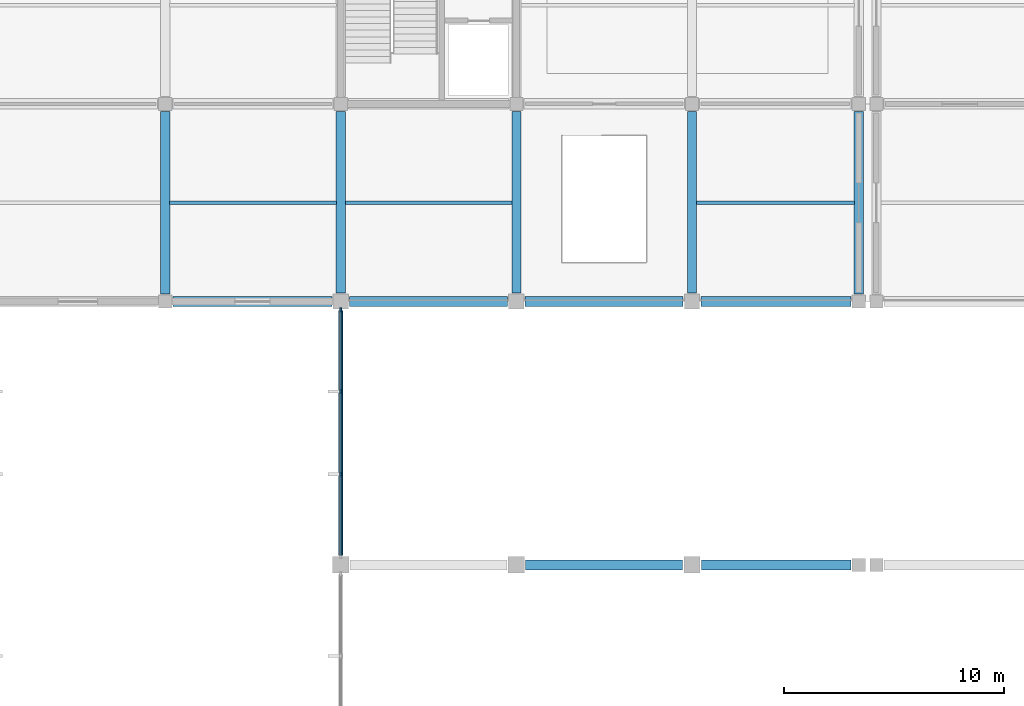
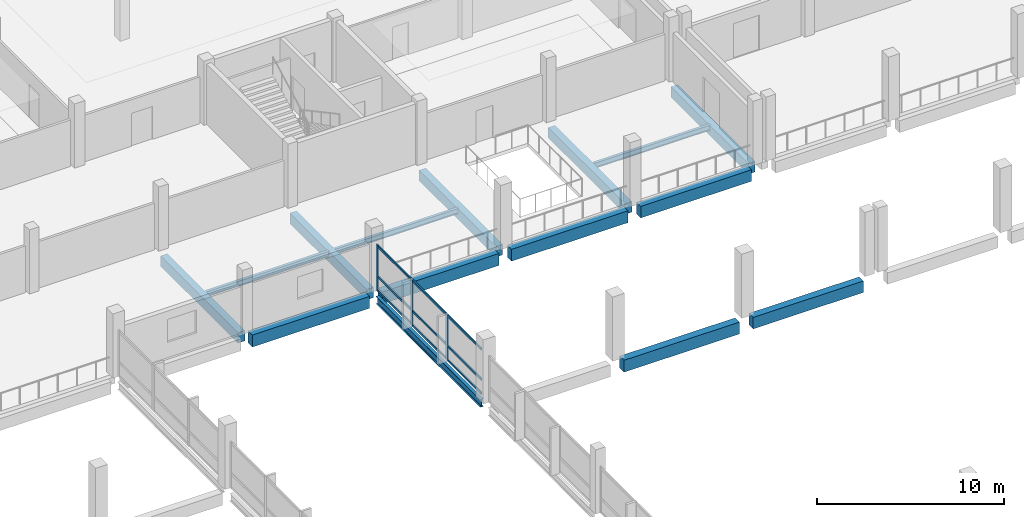
# One storey, part 19 of 57: 15 beams, 12 members, 1 element without a shape of its own.
"""IFC4 building model written with IfcOpenShell, lengths in metres."""

from ifc_helpers import new_model, si_unit, direction, frame, origin, origin_2d, place, context, subcontext, project, spatial, rectangle, i_section, extrude, material, material_profile, profile_set, type_object, element, aggregate, save


model = new_model("IFC4")

# Units and contexts
model_context = context("Model", 3, precision=1e-05, world=origin(), true_north=direction((0.0, 1.0)))
body_context = subcontext(model_context, "Body", "Model", "MODEL_VIEW")
ifc_project = project(units=[si_unit("LENGTHUNIT", "METRE"), si_unit("AREAUNIT", "SQUARE_METRE"), si_unit("VOLUMEUNIT", "CUBIC_METRE"), si_unit("PLANEANGLEUNIT", "RADIAN"), si_unit("MASSUNIT", "GRAM", prefix="KILO"), si_unit("THERMODYNAMICTEMPERATUREUNIT", "KELVIN"), si_unit("POWERUNIT", "WATT")], contexts=[model_context])

# Site, building, storey
site_placement = place(None, origin())
site = spatial("IfcSite", under=ifc_project, at=site_placement, CompositionType="ELEMENT")
building_placement = place(site_placement, origin())
building = spatial("IfcBuilding", under=site, at=building_placement, Name="Kronsvod Quay Wholesale Market", CompositionType="ELEMENT")
storey_placement = place(building_placement, frame((0.0, 0.0, 4.800048828125)))
storey = spatial("IfcBuildingStorey", under=building, at=storey_placement, Name="L01", CompositionType="ELEMENT", Elevation=4.800048828125)

# Beams
ifc_material_1 = material(Name="Precast concrete C40/50", Category="concrete")
ifc_material_profile_1 = material_profile(ifc_material_1, rectangle(XDim=0.419921875, YDim=0.679931640625, at=origin_2d()), Name="PB-05")
ifc_profile_set_1 = profile_set([ifc_material_profile_1], Name="Precast concrete C40/50")
beam_type_1 = type_object("IfcBeamType", Name="Beam_PCB420x680", PredefinedType="BEAM", material=ifc_profile_set_1)
beam_1_placement = place(storey_placement, frame((96.0, 90.35009765625, -0.64013671875), z_axis=(0.0, 1.0, 0.0), x_axis=(-1.0, 0.0, 0.0)))
element("IfcBeam", 1, at=beam_1_placement, inside=storey, type_object=beam_type_1, Name="BMY-L01-960-900", PredefinedType="BEAM", context=body_context, shape_type="SweptSolid", body=[
    extrude(rectangle(XDim=0.419921875, YDim=0.679931640625, at=origin_2d()), origin(), (0.0, 0.0, 1.0), 8.2998046875),
])
for number, where, z_axis, x_axis, name in (
    (2, (104.0, 90.39990234375, -0.64013671875), (0.0, 1.0, 0.0), (-1.0, 0.0, 0.0), "BMY-L01-1040-900"),
    (3, (112.0, 90.39990234375, -0.64013671875), (0.0, 1.0, 0.0), (-1.0, 0.0, 0.0), "BMY-L01-1120-900"),
    (4, (120.0, 90.39990234375, -0.64013671875), (0.0, 1.0, 0.0), (-1.0, 0.0, 0.0), "BMY-L01-1200-900"),
):
    element("IfcBeam", number, at=place(storey_placement, frame(where, z_axis=z_axis, x_axis=x_axis)), inside=storey, type_object=beam_type_1, Name=name, PredefinedType="BEAM", context=body_context, shape_type="SweptSolid", body=[
        extrude(rectangle(XDim=0.419921875, YDim=0.679931640625, at=origin_2d()), origin(), (0.0, 0.0, 1.0), 8.25),
    ])
beam_2_placement = place(storey_placement, frame((127.60009765625, 90.35009765625, -0.64013671875), z_axis=(0.0, 1.0, 0.0), x_axis=(-1.0, 0.0, 0.0)))
element("IfcBeam", 5, at=beam_2_placement, inside=storey, type_object=beam_type_1, Name="BMY-L01-1276-900", PredefinedType="BEAM", context=body_context, shape_type="SweptSolid", body=[
    extrude(rectangle(XDim=0.419921875, YDim=0.679931640625, at=origin_2d()), origin(), (0.0, 0.0, 1.0), 8.2998046875),
])
ifc_material_2 = material(Name="Precast concrete C40/50", Category="concrete")
ifc_material_profile_2 = material_profile(ifc_material_2, rectangle(XDim=0.449951171875, YDim=0.75, at=origin_2d()), Name="PCB450x750")
ifc_profile_set_2 = profile_set([ifc_material_profile_2], Name="Precast concrete C40/50")
beam_type_2 = type_object("IfcBeamType", Name="Beam_PCB450x750", PredefinedType="BEAM", material=ifc_profile_set_2)
beam_3_placement = place(storey_placement, frame((120.425048828125, 78.0, -0.675048828125), z_axis=(1.0, 0.0, 0.0), x_axis=(0.0, 1.0, 0.0)))
element("IfcBeam", 6, at=beam_3_placement, inside=storey, type_object=beam_type_2, Name="BMX-L01-1200-780", PredefinedType="BEAM", context=body_context, shape_type="SweptSolid", body=[
    extrude(rectangle(XDim=0.449951171875, YDim=0.75, at=origin_2d()), origin(), (0.0, 0.0, 1.0), 6.824951171875),
])
beam_4_placement = place(storey_placement, frame((120.39990234375, 90.0, -0.675048828125), z_axis=(1.0, 0.0, 0.0), x_axis=(0.0, 1.0, 0.0)))
element("IfcBeam", 7, at=beam_4_placement, inside=storey, type_object=beam_type_2, Name="BMX-L01-1200-900", PredefinedType="BEAM", context=body_context, shape_type="SweptSolid", body=[
    extrude(rectangle(XDim=0.449951171875, YDim=0.75, at=origin_2d()), origin(), (0.0, 0.0, 1.0), 6.85009765625),
])
ifc_material_3 = material(Name="Precast concrete C40/50", Category="concrete")
ifc_material_profile_3 = material_profile(ifc_material_3, rectangle(XDim=0.4599609375, YDim=0.780029296875, at=origin_2d()), Name="PB-03")
ifc_profile_set_3 = profile_set([ifc_material_profile_3], Name="Precast concrete C40/50")
beam_type_3 = type_object("IfcBeamType", Name="Beam_PCB460x780", PredefinedType="BEAM", material=ifc_profile_set_3)
beam_5_placement = place(storey_placement, frame((112.425048828125, 78.0, -0.68994140625), z_axis=(1.0, 0.0, 0.0), x_axis=(0.0, 1.0, 0.0)))
element("IfcBeam", 8, at=beam_5_placement, inside=storey, type_object=beam_type_3, Name="BMX-L01-1120-780", PredefinedType="BEAM", context=body_context, shape_type="SweptSolid", body=[
    extrude(rectangle(XDim=0.4599609375, YDim=0.780029296875, at=origin_2d()), origin(), (0.0, 0.0, 1.0), 7.14990234375),
])
beam_6_placement = place(storey_placement, frame((96.35009765625, 90.0, -0.68994140625), z_axis=(1.0, 0.0, 0.0), x_axis=(0.0, 1.0, 0.0)))
element("IfcBeam", 9, at=beam_6_placement, inside=storey, type_object=beam_type_3, Name="BMX-L01-960-900", PredefinedType="BEAM", context=body_context, shape_type="SweptSolid", body=[
    extrude(rectangle(XDim=0.4599609375, YDim=0.780029296875, at=origin_2d()), origin(), (0.0, 0.0, 1.0), 7.25),
])
for number, where, z_axis, x_axis, name in (
    (10, (104.39990234375, 90.0, -0.68994140625), (1.0, 0.0, 0.0), (0.0, 1.0, 0.0), "BMX-L01-1040-900"),
    (11, (112.39990234375, 90.0, -0.68994140625), (1.0, 0.0, 0.0), (0.0, 1.0, 0.0), "BMX-L01-1120-900"),
):
    element("IfcBeam", number, at=place(storey_placement, frame(where, z_axis=z_axis, x_axis=x_axis)), inside=storey, type_object=beam_type_3, Name=name, PredefinedType="BEAM", context=body_context, shape_type="SweptSolid", body=[
        extrude(rectangle(XDim=0.4599609375, YDim=0.780029296875, at=origin_2d()), origin(), (0.0, 0.0, 1.0), 7.2001953125),
    ])
ifc_material_4 = material(Name="Steel S355", Category="steel")
ifc_material_profile_4 = material_profile(ifc_material_4, i_section(OverallWidth=0.198974609375, OverallDepth=0.49609375, WebThickness=0.009033203125, FlangeThickness=0.013916015625, FilletRadius=0.02001953125, at=origin_2d()), Name="50B1")
ifc_profile_set_4 = profile_set([ifc_material_profile_4], Name="Steel S355")
beam_type_4 = type_object("IfcBeamType", Name="Girder_Steel50B1", PredefinedType="T_BEAM", material=ifc_profile_set_4)
beam_7_placement = place(storey_placement, frame((104.0, 78.425048828125, -0.548095703125), z_axis=(0.0, 1.0, 0.0), x_axis=(-1.0, 0.0, 0.0)))
element("IfcBeam", 12, at=beam_7_placement, inside=storey, type_object=beam_type_4, Name="BMY-L01-1040-780", PredefinedType="T_BEAM", context=body_context, shape_type="SweptSolid", body=[
    extrude(i_section(OverallWidth=0.198974609375, OverallDepth=0.49609375, WebThickness=0.009033203125, FlangeThickness=0.013916015625, FilletRadius=0.02001953125, at=origin_2d()), origin(), (0.0, 0.0, 1.0), 11.175048828125),
])
ifc_material_5 = material(Name="Steel S355", Category="steel")
ifc_material_profile_5 = material_profile(ifc_material_5, i_section(OverallWidth=0.175048828125, OverallDepth=0.35009765625, WebThickness=0.007080078125, FlangeThickness=0.010986328125, FilletRadius=0.013916015625, at=origin_2d()), Name="35B2")
ifc_profile_set_5 = profile_set([ifc_material_profile_5], Name="Steel S355")
beam_type_5 = type_object("IfcBeamType", Name="Joist_Steel35B2", PredefinedType="JOIST", material=ifc_profile_set_5)
for number, where, z_axis, x_axis, name in (
    (13, (96.205078125, 94.5, -0.405029296875), (1.0, 0.0, 0.0), (0.0, 1.0, 0.0), "JSTX-L01-960-900"),
    (14, (104.205078125, 94.5, -0.405029296875), (1.0, 0.0, 0.0), (0.0, 1.0, 0.0), "JSTX-L01-1040-900"),
):
    element("IfcBeam", number, at=place(storey_placement, frame(where, z_axis=z_axis, x_axis=x_axis)), inside=storey, type_object=beam_type_5, Name=name, PredefinedType="JOIST", context=body_context, shape_type="SweptSolid", body=[
        extrude(i_section(OverallWidth=0.175048828125, OverallDepth=0.35009765625, WebThickness=0.007080078125, FlangeThickness=0.010986328125, FilletRadius=0.013916015625, at=origin_2d()), origin(), (0.0, 0.0, 1.0), 7.58984375),
    ])
beam_8_placement = place(storey_placement, frame((120.205078125, 94.5, -0.405029296875), z_axis=(1.0, 0.0, 0.0), x_axis=(0.0, 1.0, 0.0)))
element("IfcBeam", 15, at=beam_8_placement, inside=storey, type_object=beam_type_5, Name="JSTX-L01-1200-900", PredefinedType="JOIST", context=body_context, shape_type="SweptSolid", body=[
    extrude(i_section(OverallWidth=0.175048828125, OverallDepth=0.35009765625, WebThickness=0.007080078125, FlangeThickness=0.010986328125, FilletRadius=0.013916015625, at=origin_2d()), origin(), (0.0, 0.0, 1.0), 7.18994140625),
])

# Curtain wall, members
ifc_material_6 = material(Name="Thermally broken aluminium and triple low-E glazing", Category="aluminium")
curtain_wall_type = type_object("IfcCurtainWallType", Name="CW_Court120x35", PredefinedType="NOTDEFINED", material=ifc_material_6)
curtain_wall_placement = place(storey_placement, origin())
curtain_wall = element("IfcCurtainWall", 16, at=curtain_wall_placement, inside=storey, type_object=curtain_wall_type, Name="CWGY-L01-1040-780", PredefinedType="NOTDEFINED")
ifc_material_7 = material(Name="Anodised aluminium", Category="aluminium")
ifc_material_profile_6 = material_profile(ifc_material_7, rectangle(XDim=0.074951171875, YDim=0.199951171875, at=origin_2d()), Name="ALUM75x200")
ifc_profile_set_6 = profile_set([ifc_material_profile_6], Name="Anodised aluminium")
member_type_1 = type_object("IfcMemberType", Name="Mullion_ALU75x200", PredefinedType="MULLION", material=ifc_profile_set_6)
member_1_placement = place(storey_placement, frame((104.0, 89.617431640625, 0.0), z_axis=(0.0, 0.0, 1.0), x_axis=(1.0, 0.0, 0.0)))
member_1 = element("IfcMember", 17, at=member_1_placement, type_object=member_type_1, Name="CWGY-L01-1040-780-M1", PredefinedType="MULLION", context=body_context, shape_type="SweptSolid", body=[
    extrude(rectangle(XDim=0.074951171875, YDim=0.199951171875, at=origin_2d()), origin(), (0.0, 0.0, 1.0), 3.050048828125),
])
member_2_placement = place(storey_placement, frame((104.0, 85.893310546875, 0.0), z_axis=(0.0, 0.0, 1.0), x_axis=(1.0, 0.0, 0.0)))
member_2 = element("IfcMember", 18, at=member_2_placement, type_object=member_type_1, Name="CWGY-L01-1040-780-M2", PredefinedType="MULLION", context=body_context, shape_type="SweptSolid", body=[
    extrude(rectangle(XDim=0.074951171875, YDim=0.199951171875, at=origin_2d()), origin(), (0.0, 0.0, 1.0), 3.050048828125),
])
member_3_placement = place(storey_placement, frame((104.0, 82.131591796875, 0.0), z_axis=(0.0, 0.0, 1.0), x_axis=(1.0, 0.0, 0.0)))
member_3 = element("IfcMember", 19, at=member_3_placement, type_object=member_type_1, Name="CWGY-L01-1040-780-M3", PredefinedType="MULLION", context=body_context, shape_type="SweptSolid", body=[
    extrude(rectangle(XDim=0.074951171875, YDim=0.199951171875, at=origin_2d()), origin(), (0.0, 0.0, 1.0), 3.050048828125),
])
ifc_material_8 = material(Name="Anodised aluminium", Category="aluminium")
ifc_material_profile_7 = material_profile(ifc_material_8, rectangle(XDim=0.074951171875, YDim=0.14990234375, at=origin_2d()), Name="ALUT75x150")
ifc_profile_set_7 = profile_set([ifc_material_profile_7], Name="Anodised aluminium")
member_type_2 = type_object("IfcMemberType", Name="Transom_ALU75x150", PredefinedType="USERDEFINED", material=ifc_profile_set_7)
member_4_placement = place(storey_placement, frame((104.0, 89.580078125, 0.074951171875), z_axis=(0.0, -1.0, 0.0), x_axis=(1.0, 0.0, 0.0)))
member_4 = element("IfcMember", 20, at=member_4_placement, type_object=member_type_2, Name="CWGY-L01-1040-780-T1B1", ObjectType="TRANSOM", PredefinedType="USERDEFINED", context=body_context, shape_type="SweptSolid", body=[
    extrude(rectangle(XDim=0.074951171875, YDim=0.14990234375, at=origin_2d()), origin(), (0.0, 0.0, 1.0), 3.649169921875),
])
member_5_placement = place(storey_placement, frame((104.0, 85.855712890625, 0.074951171875), z_axis=(0.0, -1.0, 0.0), x_axis=(1.0, 0.0, 0.0)))
member_5 = element("IfcMember", 21, at=member_5_placement, type_object=member_type_2, Name="CWGY-L01-1040-780-T1B2", ObjectType="TRANSOM", PredefinedType="USERDEFINED", context=body_context, shape_type="SweptSolid", body=[
    extrude(rectangle(XDim=0.074951171875, YDim=0.14990234375, at=origin_2d()), origin(), (0.0, 0.0, 1.0), 3.6865234375),
])
member_6_placement = place(storey_placement, frame((104.0, 82.09423828125, 0.074951171875), z_axis=(0.0, -1.0, 0.0), x_axis=(1.0, 0.0, 0.0)))
member_6 = element("IfcMember", 22, at=member_6_placement, type_object=member_type_2, Name="CWGY-L01-1040-780-T1B3", ObjectType="TRANSOM", PredefinedType="USERDEFINED", context=body_context, shape_type="SweptSolid", body=[
    extrude(rectangle(XDim=0.074951171875, YDim=0.14990234375, at=origin_2d()), origin(), (0.0, 0.0, 1.0), 3.649169921875),
])
member_7_placement = place(storey_placement, frame((104.0, 89.580078125, 1.0), z_axis=(0.0, -1.0, 0.0), x_axis=(1.0, 0.0, 0.0)))
member_7 = element("IfcMember", 23, at=member_7_placement, type_object=member_type_2, Name="CWGY-L01-1040-780-T2B1", ObjectType="TRANSOM", PredefinedType="USERDEFINED", context=body_context, shape_type="SweptSolid", body=[
    extrude(rectangle(XDim=0.074951171875, YDim=0.14990234375, at=origin_2d()), origin(), (0.0, 0.0, 1.0), 3.649169921875),
])
member_8_placement = place(storey_placement, frame((104.0, 85.855712890625, 1.0), z_axis=(0.0, -1.0, 0.0), x_axis=(1.0, 0.0, 0.0)))
member_8 = element("IfcMember", 24, at=member_8_placement, type_object=member_type_2, Name="CWGY-L01-1040-780-T2B2", ObjectType="TRANSOM", PredefinedType="USERDEFINED", context=body_context, shape_type="SweptSolid", body=[
    extrude(rectangle(XDim=0.074951171875, YDim=0.14990234375, at=origin_2d()), origin(), (0.0, 0.0, 1.0), 3.6865234375),
])
member_9_placement = place(storey_placement, frame((104.0, 82.09423828125, 1.0), z_axis=(0.0, -1.0, 0.0), x_axis=(1.0, 0.0, 0.0)))
member_9 = element("IfcMember", 25, at=member_9_placement, type_object=member_type_2, Name="CWGY-L01-1040-780-T2B3", ObjectType="TRANSOM", PredefinedType="USERDEFINED", context=body_context, shape_type="SweptSolid", body=[
    extrude(rectangle(XDim=0.074951171875, YDim=0.14990234375, at=origin_2d()), origin(), (0.0, 0.0, 1.0), 3.649169921875),
])
member_10_placement = place(storey_placement, frame((104.0, 89.580078125, 2.974853515625), z_axis=(0.0, -1.0, 0.0), x_axis=(1.0, 0.0, 0.0)))
member_10 = element("IfcMember", 26, at=member_10_placement, type_object=member_type_2, Name="CWGY-L01-1040-780-T3B1", ObjectType="TRANSOM", PredefinedType="USERDEFINED", context=body_context, shape_type="SweptSolid", body=[
    extrude(rectangle(XDim=0.074951171875, YDim=0.14990234375, at=origin_2d()), origin(), (0.0, 0.0, 1.0), 3.649169921875),
])
member_11_placement = place(storey_placement, frame((104.0, 85.855712890625, 2.974853515625), z_axis=(0.0, -1.0, 0.0), x_axis=(1.0, 0.0, 0.0)))
member_11 = element("IfcMember", 27, at=member_11_placement, type_object=member_type_2, Name="CWGY-L01-1040-780-T3B2", ObjectType="TRANSOM", PredefinedType="USERDEFINED", context=body_context, shape_type="SweptSolid", body=[
    extrude(rectangle(XDim=0.074951171875, YDim=0.14990234375, at=origin_2d()), origin(), (0.0, 0.0, 1.0), 3.6865234375),
])
member_12_placement = place(storey_placement, frame((104.0, 82.09423828125, 2.974853515625), z_axis=(0.0, -1.0, 0.0), x_axis=(1.0, 0.0, 0.0)))
member_12 = element("IfcMember", 28, at=member_12_placement, type_object=member_type_2, Name="CWGY-L01-1040-780-T3B3", ObjectType="TRANSOM", PredefinedType="USERDEFINED", context=body_context, shape_type="SweptSolid", body=[
    extrude(rectangle(XDim=0.074951171875, YDim=0.14990234375, at=origin_2d()), origin(), (0.0, 0.0, 1.0), 3.649169921875),
])
aggregate(curtain_wall, [member_1, member_2, member_3, member_4, member_5, member_6, member_7, member_8, member_9, member_10, member_11, member_12])

save(model, "model.ifc")
